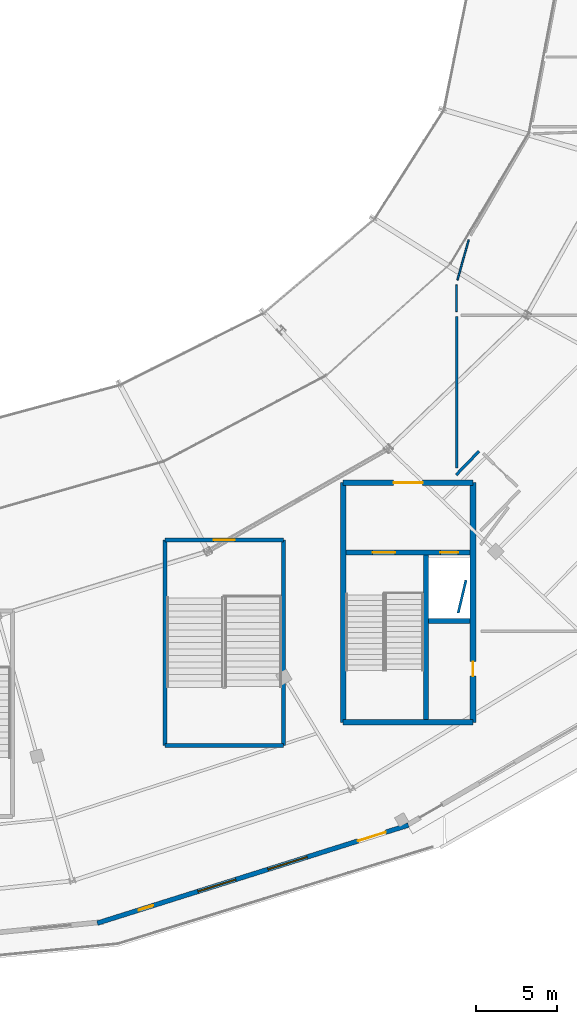
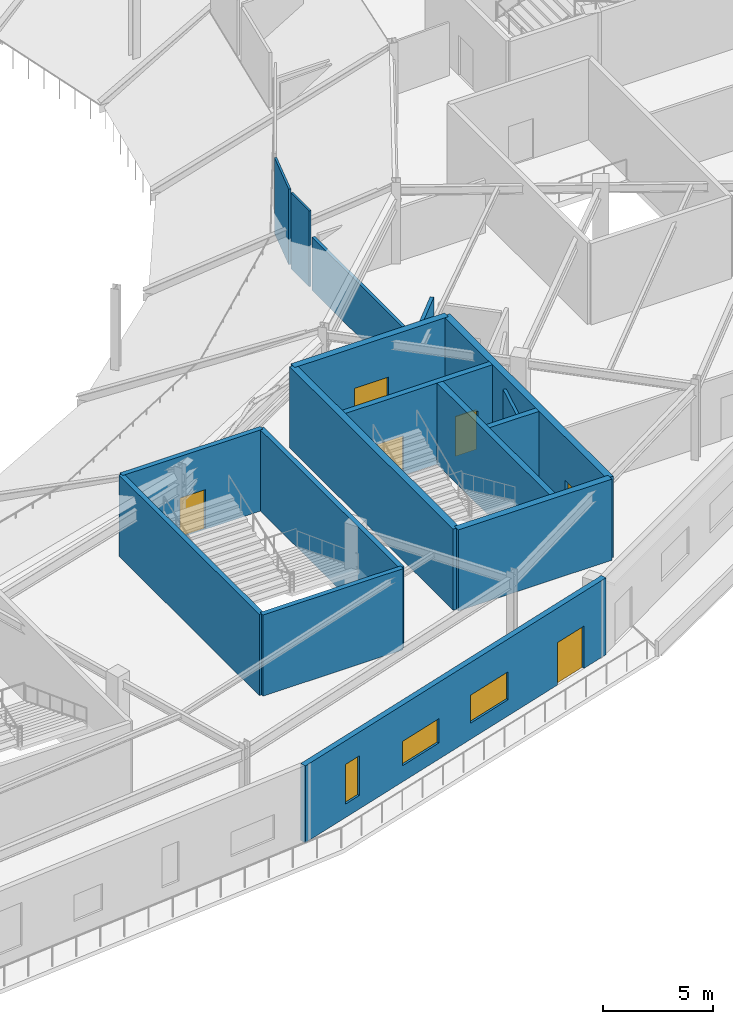
# One storey, part 35 of 63: 17 walls, 6 doors, 3 windows, 9 openings.
"""IFC4 building model written with IfcOpenShell, lengths in metres."""

from ifc_helpers import new_model, si_unit, direction, frame, frame_2d, origin, place, context, subcontext, project, spatial, rectangle, extrude, material, layer, layer_set, type_object, element, fill, save


model = new_model("IFC4")

# Units and contexts
model_context = context("Model", 3, precision=1e-05, world=origin(), true_north=direction((0.0, 1.0)))
body_context = subcontext(model_context, "Body", "Model", "MODEL_VIEW")
ifc_project = project(units=[si_unit("LENGTHUNIT", "METRE"), si_unit("AREAUNIT", "SQUARE_METRE"), si_unit("VOLUMEUNIT", "CUBIC_METRE"), si_unit("PLANEANGLEUNIT", "RADIAN"), si_unit("MASSUNIT", "GRAM", prefix="KILO")], contexts=[model_context])

# Site, building, storey
site_placement = place(None, origin())
site = spatial("IfcSite", under=ifc_project, at=site_placement, CompositionType="ELEMENT")
building_placement = place(site_placement, origin())
building = spatial("IfcBuilding", under=site, at=building_placement, Name="Kalgoora Escarpment Arena", CompositionType="ELEMENT")
storey_placement = place(building_placement, frame((0.0, 0.0, 14.39990234375)))
storey = spatial("IfcBuildingStorey", under=building, at=storey_placement, Name="L03", CompositionType="ELEMENT", Elevation=14.39990234375)

# Walls
ifc_material_1 = material(Name="Impact-resistant athlete corridor partition", Category="gypsum")
ifc_layer_1 = layer(ifc_material_1, 0.155029296875)
ifc_layer_set_1 = layer_set([ifc_layer_1], Name="WAL-BOH-155")
wall_type_1 = type_object("IfcWallType", Name="WAL-BOH-155", PredefinedType="PARTITIONING", material=ifc_layer_set_1)
wall_1_placement = place(storey_placement, frame((134.90185546875, 25.5478515625, 0.0), z_axis=(0.0, 0.0, 1.0), x_axis=(0.231910088132, 0.972737226091, 0.0)))
element("IfcWall", 1, at=wall_1_placement, inside=storey, type_object=wall_type_1, Name="L03 East Athletic Conditioning Lab partition wall", PredefinedType="PARTITIONING", context=body_context, shape_type="SweptSolid", body=[
    extrude(rectangle(XDim=2.089599609375, YDim=0.155029296875, at=frame_2d((1.044921875, 0.0))), origin(), (0.0, 0.0, 1.0), 4.2001953125),
])
wall_2_placement = place(storey_placement, frame((134.800048828125, 34.524169921875, 0.0), z_axis=(0.0, 0.0, 1.0), x_axis=(0.0, 1.0, 0.0)))
element("IfcWall", 2, at=wall_2_placement, inside=storey, type_object=wall_type_1, Name="L03 East Athletic Conditioning Lab partition wall", PredefinedType="PARTITIONING", context=body_context, shape_type="SweptSolid", body=[
    extrude(rectangle(XDim=9.395751953125, YDim=0.155029296875, at=frame_2d((4.69775390625, 0.0))), origin(), (0.0, 0.0, 1.0), 2.943115234375),
])
ifc_material_2 = material(Name="Concrete N50 (fc' 50 MPa)", Category="concrete")
ifc_layer_2 = layer(ifc_material_2, 0.35009765625)
ifc_layer_set_2 = layer_set([ifc_layer_2], Name="WAL-CORE-350")
wall_type_2 = type_object("IfcWallType", Name="WAL-CORE-350", PredefinedType="SHEAR", material=ifc_layer_set_2)
wall_3_placement = place(storey_placement, frame((127.77490234375, 18.77490234375, 0.0), z_axis=(0.0, 0.0, 1.0), x_axis=(1.0, 0.0, 0.0)))
element("IfcWall", 3, at=wall_3_placement, inside=storey, type_object=wall_type_2, Name="Core C6 L03 south shear wall", PredefinedType="SHEAR", context=body_context, shape_type="SweptSolid", body=[
    extrude(rectangle(XDim=8.050048828125, YDim=0.35009765625, at=frame_2d((4.02490234375, 0.0))), origin(), (0.0, 0.0, 1.0), 4.5),
])

# Wall, opening, door
wall_4_placement = place(storey_placement, frame((127.77490234375, 33.625, 0.0), z_axis=(0.0, 0.0, 1.0), x_axis=(1.0, 0.0, 0.0)))
wall_4 = element("IfcWall", 4, at=wall_4_placement, inside=storey, type_object=wall_type_2, Name="Core C6 L03 north lobby wall", PredefinedType="SHEAR", context=body_context, shape_type="SweptSolid", body=[
    extrude(rectangle(XDim=8.050048828125, YDim=0.35009765625, at=frame_2d((4.02490234375, 0.0))), origin(), (0.0, 0.0, 1.0), 4.5),
])
opening_1_placement = place(wall_4_placement, frame((3.125, 0.0, 0.0)))
opening_1 = element("IfcOpeningElement", 5, at=opening_1_placement, cuts=wall_4, Name="Opening FD-C6L", PredefinedType="OPENING", context=body_context, shape_type="SweptSolid", body=[
    extrude(rectangle(XDim=1.800048828125, YDim=2.25, at=frame_2d((0.89990234375, 1.125))), frame((0.0, 0.18505859375, 0.0), z_axis=(0.0, -1.0, 0.0), x_axis=(1.0, 0.0, 0.0)), (0.0, 0.0, 1.0), 0.3701171875),
])
ifc_material_3 = material(Name="Double fire-rated smoke-seal lobby door")
door_type_1 = type_object("IfcDoorType", Name="DR-LOBBY-1800", OperationType="NOTDEFINED", PredefinedType="DOOR", material=ifc_material_3)
door_1_placement = place(opening_1_placement, origin())
door_1 = element("IfcDoor", 6, at=door_1_placement, inside=storey, type_object=door_type_1, Name="Core C6 L03 smoke-lobby fire door", OperationType="DOUBLE_DOOR_SINGLE_SWING", OverallHeight=2.25, OverallWidth=1.800048828125, PredefinedType="DOOR", context=body_context, shape_type="SweptSolid", body=[
    extrude(rectangle(XDim=1.800048828125, YDim=2.25, at=frame_2d((0.89990234375, 1.125))), frame((0.0, 0.02490234375, 0.0), z_axis=(0.0, -1.0, 0.0), x_axis=(1.0, 0.0, 0.0)), (0.0, 0.0, 1.0), 0.050048828125),
])
fill(opening_1, door_1)

# Wall
wall_5_placement = place(storey_placement, frame((127.77490234375, 18.77490234375, 0.0), z_axis=(0.0, 0.0, 1.0), x_axis=(0.0, 1.0, 0.0)))
element("IfcWall", 7, at=wall_5_placement, inside=storey, type_object=wall_type_2, Name="Core C6 L03 west shear wall", PredefinedType="SHEAR", context=body_context, shape_type="SweptSolid", body=[
    extrude(rectangle(XDim=14.85009765625, YDim=0.35009765625, at=frame_2d((7.425048828125, 0.0))), origin(), (0.0, 0.0, 1.0), 4.5),
])

# Wall, opening, door
wall_6_placement = place(storey_placement, frame((135.824951171875, 18.77490234375, 0.0), z_axis=(0.0, 0.0, 1.0), x_axis=(0.0, 1.0, 0.0)))
wall_6 = element("IfcWall", 8, at=wall_6_placement, inside=storey, type_object=wall_type_2, Name="Core C6 L03 east shear wall", PredefinedType="SHEAR", context=body_context, shape_type="SweptSolid", body=[
    extrude(rectangle(XDim=14.85009765625, YDim=0.35009765625, at=frame_2d((7.425048828125, 0.0))), origin(), (0.0, 0.0, 1.0), 4.5),
])
opening_2_placement = place(wall_6_placement, frame((2.85498046875, 0.0, 0.0)))
opening_2 = element("IfcOpeningElement", 9, at=opening_2_placement, cuts=wall_6, Name="Opening FD-C6R", PredefinedType="OPENING", context=body_context, shape_type="SweptSolid", body=[
    extrude(rectangle(XDim=0.89990234375, YDim=2.10009765625, at=frame_2d((0.449951171875, 1.050048828125))), frame((0.0, 0.18505859375, 0.0), z_axis=(0.0, -1.0, 0.0), x_axis=(1.0, 0.0, 0.0)), (0.0, 0.0, 1.0), 0.3701171875),
])
ifc_material_4 = material(Name="Fire-rated steel riser access door", Category="steel")
door_type_2 = type_object("IfcDoorType", Name="DR-RISER-0900", OperationType="NOTDEFINED", PredefinedType="DOOR", material=ifc_material_4)
door_2_placement = place(opening_2_placement, origin())
door_2 = element("IfcDoor", 10, at=door_2_placement, inside=storey, type_object=door_type_2, Name="Core C6 L03 riser cupboard access door", OperationType="SINGLE_SWING_RIGHT", OverallHeight=2.10009765625, OverallWidth=0.89990234375, PredefinedType="DOOR", context=body_context, shape_type="SweptSolid", body=[
    extrude(rectangle(XDim=0.89990234375, YDim=2.10009765625, at=frame_2d((0.449951171875, 1.050048828125))), frame((0.0, 0.02490234375, 0.0), z_axis=(0.0, -1.0, 0.0), x_axis=(1.0, 0.0, 0.0)), (0.0, 0.0, 1.0), 0.050048828125),
])
fill(opening_2, door_2)

# Wall, openings, door, windows
ifc_material_5 = material(Name="Upper concourse insulated spandrel wall 40 MPa", Category="concrete")
ifc_layer_3 = layer(ifc_material_5, 0.2900390625)
ifc_layer_set_3 = layer_set([ifc_layer_3], Name="WAL-EXT-290")
wall_type_3 = type_object("IfcWallType", Name="WAL-EXT-290", PredefinedType="SOLIDWALL", material=ifc_layer_set_3)
wall_7_placement = place(storey_placement, frame((131.81689453125, 12.400634765625, 0.0), z_axis=(0.0, 0.0, 1.0), x_axis=(-0.953756113153, -0.30058156401, 0.0)))
wall_7 = element("IfcWall", 11, at=wall_7_placement, inside=storey, type_object=wall_type_3, Name="L03 limestone-faced external wall 070", PredefinedType="SOLIDWALL", context=body_context, shape_type="SweptSolid", body=[
    extrude(rectangle(XDim=20.21240234375, YDim=0.2900390625, at=frame_2d((10.106201171875, 0.0))), origin(), (0.0, 0.0, 1.0), 4.260009765625),
])
opening_3_placement = place(wall_7_placement, frame((1.472900390625, 0.0, 0.0)))
opening_3 = element("IfcOpeningElement", 12, at=opening_3_placement, cuts=wall_7, Name="Opening TD23", PredefinedType="OPENING", context=body_context, shape_type="SweptSolid", body=[
    extrude(rectangle(XDim=1.800048828125, YDim=2.35009765625, at=frame_2d((0.89990234375, 1.175048828125))), frame((0.0, 0.155029296875, 0.0), z_axis=(0.0, -1.0, 0.0), x_axis=(1.0, 0.0, 0.0)), (0.0, 0.0, 1.0), 0.31005859375),
])
opening_4_placement = place(wall_7_placement, frame((6.574951171875, 0.0, 0.89990234375)))
opening_4 = element("IfcOpeningElement", 13, at=opening_4_placement, cuts=wall_7, Name="Opening W-13", PredefinedType="OPENING", context=body_context, shape_type="SweptSolid", body=[
    extrude(rectangle(XDim=2.550048828125, YDim=1.550048828125, at=frame_2d((1.27490234375, 0.77490234375))), frame((0.0, 0.155029296875, 0.0), z_axis=(0.0, -1.0, 0.0), x_axis=(1.0, 0.0, 0.0)), (0.0, 0.0, 1.0), 0.31005859375),
])
opening_5_placement = place(wall_7_placement, frame((11.22509765625, 0.0, 0.89990234375)))
opening_5 = element("IfcOpeningElement", 14, at=opening_5_placement, cuts=wall_7, Name="Opening W-15", PredefinedType="OPENING", context=body_context, shape_type="SweptSolid", body=[
    extrude(rectangle(XDim=2.449951171875, YDim=1.35009765625, at=frame_2d((1.22509765625, 0.675048828125))), frame((0.0, 0.155029296875, 0.0), z_axis=(0.0, -1.0, 0.0), x_axis=(1.0, 0.0, 0.0)), (0.0, 0.0, 1.0), 0.31005859375),
])
opening_6_placement = place(wall_7_placement, frame((16.574951171875, 0.0, 0.75)))
opening_6 = element("IfcOpeningElement", 15, at=opening_6_placement, cuts=wall_7, Name="Opening W-17", PredefinedType="OPENING", context=body_context, shape_type="SweptSolid", body=[
    extrude(rectangle(XDim=0.949951171875, YDim=2.199951171875, at=frame_2d((0.47509765625, 1.10009765625))), frame((0.0, 0.155029296875, 0.0), z_axis=(0.0, -1.0, 0.0), x_axis=(1.0, 0.0, 0.0)), (0.0, 0.0, 1.0), 0.31005859375),
])
ifc_material_6 = material(Name="Thermally broken aluminium glazed terrace double door", Category="aluminium")
door_type_3 = type_object("IfcDoorType", Name="DR-TERR-1800", OperationType="NOTDEFINED", PredefinedType="DOOR", material=ifc_material_6)
door_3_placement = place(opening_3_placement, origin())
door_3 = element("IfcDoor", 16, at=door_3_placement, inside=storey, type_object=door_type_3, Name="Upper Planted Elliptical Garden Terrace access door TD23", OperationType="DOUBLE_DOOR_SINGLE_SWING", OverallHeight=2.35009765625, OverallWidth=1.800048828125, PredefinedType="DOOR", context=body_context, shape_type="SweptSolid", body=[
    extrude(rectangle(XDim=1.800048828125, YDim=2.35009765625, at=frame_2d((0.89990234375, 1.175048828125))), frame((0.0, 0.02490234375, 0.0), z_axis=(0.0, -1.0, 0.0), x_axis=(1.0, 0.0, 0.0)), (0.0, 0.0, 1.0), 0.050048828125),
])
fill(opening_3, door_3)
ifc_material_7 = material(Name="Low-E solar-control double glazing in champagne frame", Category="glass")
window_type_1 = type_object("IfcWindowType", Name="WIN-BAND-2550x1550", PartitioningType="SINGLE_PANEL", PredefinedType="WINDOW", material=ifc_material_7)
window_1_placement = place(opening_4_placement, origin())
window_1 = element("IfcWindow", 17, at=window_1_placement, inside=storey, type_object=window_type_1, Name="L03 scheduled facade window 112", OverallHeight=1.550048828125, OverallWidth=2.550048828125, PartitioningType="SINGLE_PANEL", PredefinedType="WINDOW", context=body_context, shape_type="SweptSolid", body=[
    extrude(rectangle(XDim=2.550048828125, YDim=1.550048828125, at=frame_2d((1.27490234375, 0.77490234375))), frame((0.0, 0.030029296875, 0.0), z_axis=(0.0, -1.0, 0.0), x_axis=(1.0, 0.0, 0.0)), (0.0, 0.0, 1.0), 0.06005859375),
])
fill(opening_4, window_1)
ifc_material_8 = material(Name="Low-E solar-control double glazing in champagne frame", Category="glass")
window_type_2 = type_object("IfcWindowType", Name="WIN-CLER-2450x1350", PartitioningType="SINGLE_PANEL", PredefinedType="WINDOW", material=ifc_material_8)
window_2_placement = place(opening_5_placement, origin())
window_2 = element("IfcWindow", 18, at=window_2_placement, inside=storey, type_object=window_type_2, Name="L03 scheduled facade window 113", OverallHeight=1.35009765625, OverallWidth=2.449951171875, PartitioningType="SINGLE_PANEL", PredefinedType="WINDOW", context=body_context, shape_type="SweptSolid", body=[
    extrude(rectangle(XDim=2.449951171875, YDim=1.35009765625, at=frame_2d((1.22509765625, 0.675048828125))), frame((0.0, 0.030029296875, 0.0), z_axis=(0.0, -1.0, 0.0), x_axis=(1.0, 0.0, 0.0)), (0.0, 0.0, 1.0), 0.06005859375),
])
fill(opening_5, window_2)
ifc_material_9 = material(Name="Low-E solar-control double glazing in champagne frame", Category="glass")
window_type_3 = type_object("IfcWindowType", Name="WIN-SLOT-0950x2200", PartitioningType="SINGLE_PANEL", PredefinedType="WINDOW", material=ifc_material_9)
window_3_placement = place(opening_6_placement, origin())
window_3 = element("IfcWindow", 19, at=window_3_placement, inside=storey, type_object=window_type_3, Name="L03 scheduled facade window 114", OverallHeight=2.199951171875, OverallWidth=0.949951171875, PartitioningType="SINGLE_PANEL", PredefinedType="WINDOW", context=body_context, shape_type="SweptSolid", body=[
    extrude(rectangle(XDim=0.949951171875, YDim=2.199951171875, at=frame_2d((0.47509765625, 1.10009765625))), frame((0.0, 0.030029296875, 0.0), z_axis=(0.0, -1.0, 0.0), x_axis=(1.0, 0.0, 0.0)), (0.0, 0.0, 1.0), 0.06005859375),
])
fill(opening_6, window_3)

# Walls
ifc_material_10 = material(Name="Framed acoustic studio partition", Category="gypsum")
ifc_layer_4 = layer(ifc_material_10, 0.10498046875)
ifc_layer_set_4 = layer_set([ifc_layer_4], Name="WAL-GLZ-105")
wall_type_4 = type_object("IfcWallType", Name="WAL-GLZ-105", PredefinedType="PARTITIONING", material=ifc_layer_set_4)
wall_8_placement = place(storey_placement, frame((134.800048828125, 44.219970703125, 0.0), z_axis=(0.0, 0.0, 1.0), x_axis=(0.0, 1.0, 0.0)))
element("IfcWall", 20, at=wall_8_placement, inside=storey, type_object=wall_type_4, Name="L03 Sports Science Seminar Hall partition wall", PredefinedType="PARTITIONING", context=body_context, shape_type="SweptSolid", body=[
    extrude(rectangle(XDim=1.669921875, YDim=0.10498046875, at=frame_2d((0.8349609375, 0.0))), origin(), (0.0, 0.0, 1.0), 4.2001953125),
])
wall_9_placement = place(storey_placement, frame((134.859375, 46.18359375, 0.0), z_axis=(0.0, 0.0, 1.0), x_axis=(0.26771209644, 0.963498953513, 0.0)))
element("IfcWall", 21, at=wall_9_placement, inside=storey, type_object=wall_type_4, Name="L03 Sports Science Seminar Hall partition wall", PredefinedType="PARTITIONING", context=body_context, shape_type="SweptSolid", body=[
    extrude(rectangle(XDim=2.58349609375, YDim=0.10498046875, at=frame_2d((1.291748046875, 0.0))), origin(), (0.0, 0.0, 1.0), 4.2001953125),
])

# Wall, openings, doors
ifc_material_11 = material(Name="Concrete N50 (fc' 50 MPa)", Category="concrete")
ifc_layer_5 = layer(ifc_material_11, 0.300048828125)
ifc_layer_set_5 = layer_set([ifc_layer_5], Name="WAL-SHAFT-300")
wall_type_5 = type_object("IfcWallType", Name="WAL-SHAFT-300", PredefinedType="SHEAR", material=ifc_layer_set_5)
wall_10_placement = place(storey_placement, frame((127.949951171875, 29.300048828125, 0.0), z_axis=(0.0, 0.0, 1.0), x_axis=(1.0, 0.0, 0.0)))
wall_10 = element("IfcWall", 22, at=wall_10_placement, inside=storey, type_object=wall_type_5, Name="Core C6 L03 lobby shaft wall", PredefinedType="SHEAR", context=body_context, shape_type="SweptSolid", body=[
    extrude(rectangle(XDim=7.699951171875, YDim=0.300048828125, at=frame_2d((3.85009765625, 0.0))), origin(), (0.0, 0.0, 1.0), 4.5),
])
opening_7_placement = place(wall_10_placement, frame((1.64990234375, 0.0, 0.0)))
opening_7 = element("IfcOpeningElement", 23, at=opening_7_placement, cuts=wall_10, Name="Opening FD-ST06", PredefinedType="OPENING", context=body_context, shape_type="SweptSolid", body=[
    extrude(rectangle(XDim=1.39990234375, YDim=2.199951171875, at=frame_2d((0.699951171875, 1.10009765625))), frame((0.0, 0.159912109375, 0.0), z_axis=(0.0, -1.0, 0.0), x_axis=(1.0, 0.0, 0.0)), (0.0, 0.0, 1.0), 0.320068359375),
])
opening_8_placement = place(wall_10_placement, frame((5.85009765625, 0.0, 0.0)))
opening_8 = element("IfcOpeningElement", 24, at=opening_8_placement, cuts=wall_10, Name="Opening LD-PL4", PredefinedType="OPENING", context=body_context, shape_type="SweptSolid", body=[
    extrude(rectangle(XDim=1.10009765625, YDim=2.199951171875, at=frame_2d((0.550048828125, 1.10009765625))), frame((0.0, 0.159912109375, 0.0), z_axis=(0.0, -1.0, 0.0), x_axis=(1.0, 0.0, 0.0)), (0.0, 0.0, 1.0), 0.320068359375),
])
ifc_material_12 = material(Name="Brushed stainless steel sliding lift landing door", Category="steel")
door_type_4 = type_object("IfcDoorType", Name="DR-LD-PL4", OperationType="SLIDING_TO_LEFT", PredefinedType="DOOR", material=ifc_material_12)
door_4_placement = place(opening_8_placement, origin())
door_4 = element("IfcDoor", 25, at=door_4_placement, inside=storey, type_object=door_type_4, Name="Lift PL4 L03 sliding landing door", OperationType="SLIDING_TO_LEFT", OverallHeight=2.199951171875, OverallWidth=1.10009765625, PredefinedType="DOOR", context=body_context, shape_type="SweptSolid", body=[
    extrude(rectangle(XDim=1.10009765625, YDim=2.199951171875, at=frame_2d((0.550048828125, 1.10009765625))), frame((0.0, 0.02490234375, 0.0), z_axis=(0.0, -1.0, 0.0), x_axis=(1.0, 0.0, 0.0)), (0.0, 0.0, 1.0), 0.050048828125),
])
fill(opening_8, door_4)
ifc_material_13 = material(Name="Fire-rated steel stair leaf with vision panel", Category="steel")
door_type_5 = type_object("IfcDoorType", Name="DR-STAIR-1400", OperationType="NOTDEFINED", PredefinedType="DOOR", material=ifc_material_13)
door_5_placement = place(opening_7_placement, origin())
door_5 = element("IfcDoor", 26, at=door_5_placement, inside=storey, type_object=door_type_5, Name="Fire stair ST06 L03 fire door", OperationType="SINGLE_SWING_LEFT", OverallHeight=2.199951171875, OverallWidth=1.39990234375, PredefinedType="DOOR", context=body_context, shape_type="SweptSolid", body=[
    extrude(rectangle(XDim=1.39990234375, YDim=2.199951171875, at=frame_2d((0.699951171875, 1.10009765625))), frame((0.0, 0.02490234375, 0.0), z_axis=(0.0, -1.0, 0.0), x_axis=(1.0, 0.0, 0.0)), (0.0, 0.0, 1.0), 0.050048828125),
])
fill(opening_7, door_5)

# Walls
wall_11_placement = place(storey_placement, frame((132.89990234375, 18.949951171875, 0.0), z_axis=(0.0, 0.0, 1.0), x_axis=(0.0, 1.0, 0.0)))
element("IfcWall", 27, at=wall_11_placement, inside=storey, type_object=wall_type_5, Name="Core C6 L03 stair-lift spine wall", PredefinedType="SHEAR", context=body_context, shape_type="SweptSolid", body=[
    extrude(rectangle(XDim=10.35009765625, YDim=0.300048828125, at=frame_2d((5.175048828125, 0.0))), origin(), (0.0, 0.0, 1.0), 4.5),
])
wall_12_placement = place(storey_placement, frame((133.050048828125, 25.050048828125, 0.0), z_axis=(0.0, 0.0, 1.0), x_axis=(1.0, 0.0, 0.0)))
element("IfcWall", 28, at=wall_12_placement, inside=storey, type_object=wall_type_5, Name="Core C6 L03 lift-riser divider wall", PredefinedType="SHEAR", context=body_context, shape_type="SweptSolid", body=[
    extrude(rectangle(XDim=2.599853515625, YDim=0.300048828125, at=frame_2d((1.2998046875, 0.0))), origin(), (0.0, 0.0, 1.0), 4.5),
])
ifc_material_14 = material(Name="Concrete N50 (fc' 50 MPa)", Category="concrete")
ifc_layer_6 = layer(ifc_material_14, 0.25)
ifc_layer_set_6 = layer_set([ifc_layer_6], Name="WAL-STAIR-250")
wall_type_6 = type_object("IfcWallType", Name="WAL-STAIR-250", PredefinedType="SHEAR", material=ifc_layer_set_6)
wall_13_placement = place(storey_placement, frame((116.72509765625, 17.324951171875, 0.0), z_axis=(0.0, 0.0, 1.0), x_axis=(1.0, 0.0, 0.0)))
element("IfcWall", 29, at=wall_13_placement, inside=storey, type_object=wall_type_6, Name="Exit stair ST16 L03 south wall", PredefinedType="SHEAR", context=body_context, shape_type="SweptSolid", body=[
    extrude(rectangle(XDim=7.349853515625, YDim=0.25, at=frame_2d((3.6748046875, 0.0))), origin(), (0.0, 0.0, 1.0), 4.5),
])

# Wall, opening, door
wall_14_placement = place(storey_placement, frame((116.72509765625, 30.074951171875, 0.0), z_axis=(0.0, 0.0, 1.0), x_axis=(1.0, 0.0, 0.0)))
wall_14 = element("IfcWall", 30, at=wall_14_placement, inside=storey, type_object=wall_type_6, Name="Exit stair ST16 L03 north wall", PredefinedType="SHEAR", context=body_context, shape_type="SweptSolid", body=[
    extrude(rectangle(XDim=7.349853515625, YDim=0.25, at=frame_2d((3.6748046875, 0.0))), origin(), (0.0, 0.0, 1.0), 4.5),
])
opening_9_placement = place(wall_14_placement, frame((3.014892578125, 0.0, 0.0)))
opening_9 = element("IfcOpeningElement", 31, at=opening_9_placement, cuts=wall_14, Name="Opening FD-ST16", PredefinedType="OPENING", context=body_context, shape_type="SweptSolid", body=[
    extrude(rectangle(XDim=1.320068359375, YDim=2.199951171875, at=frame_2d((0.66015625, 1.10009765625))), frame((0.0, 0.135009765625, 0.0), z_axis=(0.0, -1.0, 0.0), x_axis=(1.0, 0.0, 0.0)), (0.0, 0.0, 1.0), 0.27001953125),
])
ifc_material_15 = material(Name="Fire-rated steel stair leaf with vision panel", Category="steel")
door_type_6 = type_object("IfcDoorType", Name="DR-STAIR-1320", OperationType="NOTDEFINED", PredefinedType="DOOR", material=ifc_material_15)
door_6_placement = place(opening_9_placement, origin())
door_6 = element("IfcDoor", 32, at=door_6_placement, inside=storey, type_object=door_type_6, Name="Fire-isolated stair ST16 L03 egress door", OperationType="SINGLE_SWING_RIGHT", OverallHeight=2.199951171875, OverallWidth=1.320068359375, PredefinedType="DOOR", context=body_context, shape_type="SweptSolid", body=[
    extrude(rectangle(XDim=1.320068359375, YDim=2.199951171875, at=frame_2d((0.66015625, 1.10009765625))), frame((0.0, 0.02490234375, 0.0), z_axis=(0.0, -1.0, 0.0), x_axis=(1.0, 0.0, 0.0)), (0.0, 0.0, 1.0), 0.050048828125),
])
fill(opening_9, door_6)

# Walls
for number, where, z_axis, x_axis, name in (
    (33, (116.72509765625, 17.324951171875, 0.0), (0.0, 0.0, 1.0), (0.0, 1.0, 0.0), "Exit stair ST16 L03 west wall"),
    (34, (124.074951171875, 17.324951171875, 0.0), (0.0, 0.0, 1.0), (0.0, 1.0, 0.0), "Exit stair ST16 L03 east wall"),
):
    element("IfcWall", number, at=place(storey_placement, frame(where, z_axis=z_axis, x_axis=x_axis)), inside=storey, type_object=wall_type_6, Name=name, PredefinedType="SHEAR", context=body_context, shape_type="SweptSolid", body=[
        extrude(rectangle(XDim=12.75, YDim=0.25, at=frame_2d((6.375, 0.0))), origin(), (0.0, 0.0, 1.0), 4.5),
    ])
ifc_material_16 = material(Name="Twin-stud acoustic plasterboard FRL -/60/60", Category="gypsum")
ifc_layer_7 = layer(ifc_material_16, 0.175048828125)
ifc_layer_set_7 = layer_set([ifc_layer_7], Name="WAL-SUITE-175")
wall_type_7 = type_object("IfcWallType", Name="WAL-SUITE-175", PredefinedType="PARTITIONING", material=ifc_layer_set_7)
wall_15_placement = place(storey_placement, frame((134.77587890625, 34.1025390625, 0.0), z_axis=(0.0, 0.0, 1.0), x_axis=(0.694643747877, 0.719353920915, 0.0)))
element("IfcWall", 35, at=wall_15_placement, inside=storey, type_object=wall_type_7, Name="L03 Hospitality Suite HS37 partition wall", PredefinedType="PARTITIONING", context=body_context, shape_type="SweptSolid", body=[
    extrude(rectangle(XDim=2.035400390625, YDim=0.175048828125, at=frame_2d((1.017578125, 0.0))), origin(), (0.0, 0.0, 1.0), 4.18017578125),
])

save(model, "model.ifc")
